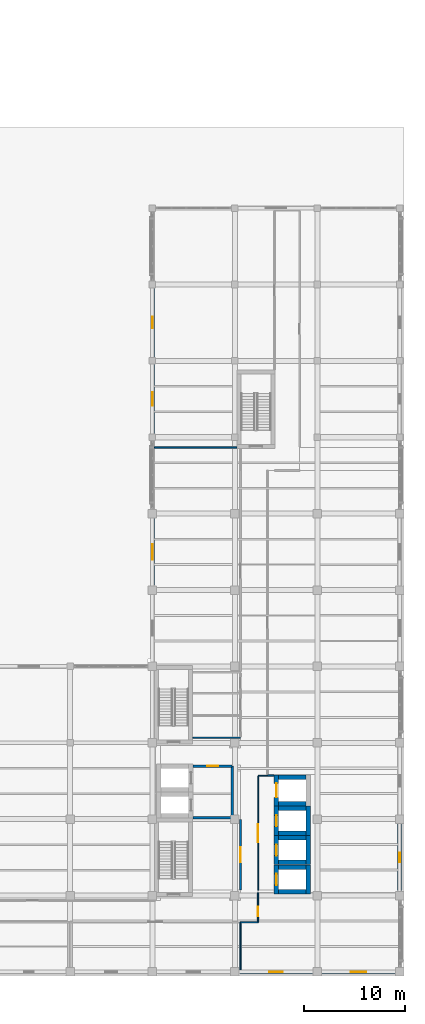
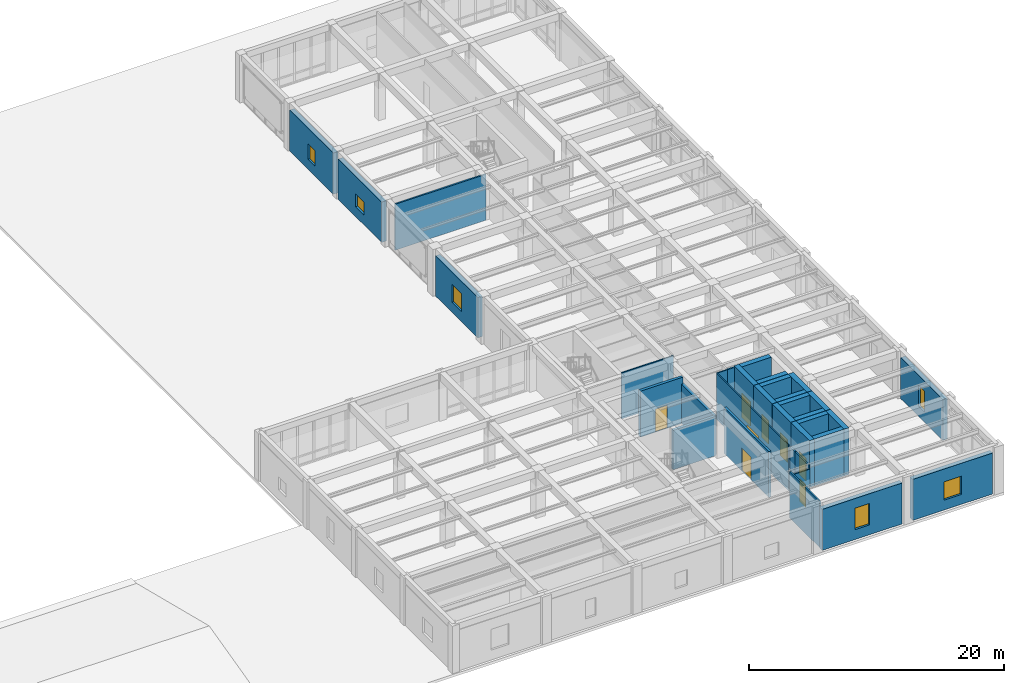
# One storey, part 16 of 23: 34 walls, 8 doors, 6 windows, 14 openings.
"""IFC4 building model written with IfcOpenShell, lengths in metres."""

from ifc_helpers import new_model, si_unit, direction, frame, frame_2d, origin, place, context, subcontext, project, spatial, rectangle, extrude, material, layer, layer_set, type_object, element, fill, save


model = new_model("IFC4")

# Units and contexts
model_context = context("Model", 3, precision=1e-05, world=origin(), true_north=direction((0.0, 1.0)))
body_context = subcontext(model_context, "Body", "Model", "MODEL_VIEW")
ifc_project = project(units=[si_unit("LENGTHUNIT", "METRE"), si_unit("AREAUNIT", "SQUARE_METRE"), si_unit("VOLUMEUNIT", "CUBIC_METRE"), si_unit("PLANEANGLEUNIT", "RADIAN"), si_unit("MASSUNIT", "GRAM", prefix="KILO")], contexts=[model_context])

# Site, building, storey
site_placement = place(None, origin())
site = spatial("IfcSite", under=ifc_project, at=site_placement, CompositionType="ELEMENT")
building_placement = place(site_placement, origin())
building = spatial("IfcBuilding", under=site, at=building_placement, Name="Qandaris Square Conservatory and Botanical Centre", CompositionType="ELEMENT")
storey_placement = place(building_placement, frame((0.0, 0.0, 15.0)))
storey = spatial("IfcBuildingStorey", under=building, at=storey_placement, Name="L03", CompositionType="ELEMENT", Elevation=15.0)

# Walls
ifc_material_1 = material(Name="Gypsum Plasterboard", Category="gypsum")
ifc_layer_1 = layer(ifc_material_1, 0.14990234375)
ifc_layer_set_1 = layer_set([ifc_layer_1], Name="Gypsum Plasterboard")
wall_type_1 = type_object("IfcWallType", Name="Acoustic Laboratory Partition 150mm", PredefinedType="PARTITIONING", material=ifc_layer_set_1)
wall_1_placement = place(storey_placement, frame((150.64990234375, 36.14990234375, 0.0), z_axis=(0.0, 0.0, 1.0), x_axis=(1.0, 0.0, 0.0)))
element("IfcWall", 1, at=wall_1_placement, inside=storey, type_object=wall_type_1, Name="Interior Partition IW-L03-0167", PredefinedType="PARTITIONING", context=body_context, shape_type="SweptSolid", body=[
    extrude(rectangle(XDim=0.6201171875, YDim=0.14990234375, at=frame_2d((0.31005859375, 0.0))), origin(), (0.0, 0.0, 1.0), 4.405029296875),
])
wall_2_placement = place(storey_placement, frame((139.3798828125, 68.800048828125, 0.0), z_axis=(0.0, 0.0, 1.0), x_axis=(1.0, 0.0, 0.0)))
element("IfcWall", 2, at=wall_2_placement, inside=storey, type_object=wall_type_1, Name="Interior Partition IW-L03-0187", PredefinedType="PARTITIONING", context=body_context, shape_type="SweptSolid", body=[
    extrude(rectangle(XDim=8.22021484375, YDim=0.14990234375, at=frame_2d((4.110107421875, 0.0))), origin(), (0.0, 0.0, 1.0), 4.405029296875),
])

# Wall, opening, door
ifc_material_2 = material(Name="Concrete C40/50", Category="concrete")
ifc_layer_2 = layer(ifc_material_2, 0.25)
ifc_layer_set_2 = layer_set([ifc_layer_2], Name="Concrete C40/50")
wall_type_2 = type_object("IfcWallType", Name="Firefighting Lobby Compartment Wall 250mm", PredefinedType="SOLIDWALL", material=ifc_layer_set_2)
wall_3_placement = place(storey_placement, frame((143.25, 37.074951171875, 0.0), z_axis=(0.0, 0.0, 1.0), x_axis=(1.0, 0.0, 0.0)))
wall_3 = element("IfcWall", 3, at=wall_3_placement, inside=storey, type_object=wall_type_2, Name="Firefighting Lobby Wall North (L03)", PredefinedType="SOLIDWALL", context=body_context, shape_type="SweptSolid", body=[
    extrude(rectangle(XDim=3.875, YDim=0.25, at=frame_2d((1.9375, 0.0))), origin(), (0.0, 0.0, 1.0), 4.405029296875),
])
opening_1_placement = place(wall_3_placement, frame((1.387451171875, 0.0, 0.0)))
opening_1 = element("IfcOpeningElement", 4, at=opening_1_placement, cuts=wall_3, Name="Opening D-FFL", PredefinedType="OPENING", context=body_context, shape_type="SweptSolid", body=[
    extrude(rectangle(XDim=1.10009765625, YDim=2.199951171875, at=frame_2d((0.550048828125, 1.10009765625))), frame((0.0, 0.136962890625, 0.0), z_axis=(0.0, -1.0, 0.0), x_axis=(1.0, 0.0, 0.0)), (0.0, 0.0, 1.0), 0.27392578125),
])
ifc_material_3 = material(Name="Steel S355", Category="steel")
door_type_1 = type_object("IfcDoorType", Name="Firefighting Lobby Smoke-Seal Door 1100x2200", OperationType="NOTDEFINED", PredefinedType="DOOR", material=ifc_material_3)
door_1_placement = place(opening_1_placement, origin())
door_1 = element("IfcDoor", 5, at=door_1_placement, inside=storey, type_object=door_type_1, Name="DR-0151 Firefighting Lobby Door (L03)", OperationType="SINGLE_SWING_RIGHT", OverallHeight=2.199951171875, OverallWidth=1.10009765625, PredefinedType="DOOR", context=body_context, shape_type="SweptSolid", body=[
    extrude(rectangle(XDim=1.10009765625, YDim=2.199951171875, at=frame_2d((0.550048828125, 1.10009765625))), frame((0.0, 0.02490234375, 0.0), z_axis=(0.0, -1.0, 0.0), x_axis=(1.0, 0.0, 0.0)), (0.0, 0.0, 1.0), 0.050048828125),
])
fill(opening_1, door_1)

# Walls
wall_4_placement = place(storey_placement, frame((143.25, 31.925048828125, 0.0), z_axis=(0.0, 0.0, 1.0), x_axis=(1.0, 0.0, 0.0)))
element("IfcWall", 6, at=wall_4_placement, inside=storey, type_object=wall_type_2, Name="Firefighting Lobby Wall South (L03)", PredefinedType="SOLIDWALL", context=body_context, shape_type="SweptSolid", body=[
    extrude(rectangle(XDim=3.875, YDim=0.25, at=frame_2d((1.9375, 0.0))), origin(), (0.0, 0.0, 1.0), 3.764892578125),
])
wall_5_placement = place(storey_placement, frame((147.125, 31.925048828125, 0.0), z_axis=(0.0, 0.0, 1.0), x_axis=(0.0, 1.0, 0.0)))
element("IfcWall", 7, at=wall_5_placement, inside=storey, type_object=wall_type_2, Name="Firefighting Lobby Wall East (L03)", PredefinedType="SOLIDWALL", context=body_context, shape_type="SweptSolid", body=[
    extrude(rectangle(XDim=5.14990234375, YDim=0.25, at=frame_2d((2.574951171875, 0.0))), origin(), (0.0, 0.0, 1.0), 3.764892578125),
])

# Wall, opening, door
ifc_material_4 = material(Name="Tempered Low-E Glass", Category="glass")
ifc_layer_3 = layer(ifc_material_4, 0.10009765625)
ifc_layer_set_3 = layer_set([ifc_layer_3], Name="Tempered Low-E Glass")
wall_type_3 = type_object("IfcWallType", Name="Framed Acoustic Glazed Gallery Screen 100mm", PredefinedType="PARTITIONING", material=ifc_layer_set_3)
wall_6_placement = place(storey_placement, frame((149.699951171875, 24.75, 0.0), z_axis=(0.0, 0.0, 1.0), x_axis=(0.0, 1.0, 0.0)))
wall_6 = element("IfcWall", 8, at=wall_6_placement, inside=storey, type_object=wall_type_3, Name="Interior Partition IW-L03-0165", PredefinedType="PARTITIONING", context=body_context, shape_type="SweptSolid", body=[
    extrude(rectangle(XDim=11.300048828125, YDim=0.10009765625, at=frame_2d((5.64990234375, 0.0))), origin(), (0.0, 0.0, 1.0), 4.405029296875),
])
opening_2_placement = place(wall_6_placement, frame((4.75, 0.0, 0.0)))
opening_2 = element("IfcOpeningElement", 9, at=opening_2_placement, cuts=wall_6, Name="Opening D-GL1", PredefinedType="OPENING", context=body_context, shape_type="SweptSolid", body=[
    extrude(rectangle(XDim=1.800048828125, YDim=2.39990234375, at=frame_2d((0.89990234375, 1.199951171875))), frame((0.0, 0.06201171875, 0.0), z_axis=(0.0, -1.0, 0.0), x_axis=(1.0, 0.0, 0.0)), (0.0, 0.0, 1.0), 0.1240234375),
])
ifc_material_5 = material(Name="Anodised Aluminium", Category="aluminium")
door_type_2 = type_object("IfcDoorType", Name="Visitor Gallery Glazed Double Door 1800x2400", OperationType="DOUBLE_DOOR_SINGLE_SWING", PredefinedType="DOOR", material=ifc_material_5)
door_2_placement = place(opening_2_placement, frame((1.800048828125, 0.0, 0.0), z_axis=(0.0, 0.0, 1.0), x_axis=(-1.0, 0.0, 0.0)))
door_2 = element("IfcDoor", 10, at=door_2_placement, inside=storey, type_object=door_type_2, Name="DR-0152 Main Circulation Corridor L03 Door", OperationType="DOUBLE_DOOR_SINGLE_SWING", OverallHeight=2.39990234375, OverallWidth=1.800048828125, PredefinedType="DOOR", context=body_context, shape_type="SweptSolid", body=[
    extrude(rectangle(XDim=1.800048828125, YDim=2.39990234375, at=frame_2d((0.89990234375, 1.199951171875))), frame((0.0, 0.02490234375, 0.0), z_axis=(0.0, -1.0, 0.0), x_axis=(1.0, 0.0, 0.0)), (0.0, 0.0, 1.0), 0.050048828125),
])
fill(opening_2, door_2)

# Wall
wall_7_placement = place(storey_placement, frame((149.699951171875, 36.125, 0.0), z_axis=(0.0, 0.0, 1.0), x_axis=(1.0, 0.0, 0.0)))
element("IfcWall", 11, at=wall_7_placement, inside=storey, type_object=wall_type_3, Name="Interior Partition IW-L03-0166", PredefinedType="PARTITIONING", context=body_context, shape_type="SweptSolid", body=[
    extrude(rectangle(XDim=0.949951171875, YDim=0.10009765625, at=frame_2d((0.47509765625, 0.0))), origin(), (0.0, 0.0, 1.0), 4.405029296875),
])

# Wall, opening, door
ifc_layer_4 = layer(ifc_material_2, 0.199951171875)
ifc_layer_set_4 = layer_set([ifc_layer_4], Name="Concrete C40/50")
wall_type_4 = type_object("IfcWallType", Name="Herbarium & Plant Compartment Wall 200mm", PredefinedType="PARTITIONING", material=ifc_layer_set_4)
wall_8_placement = place(storey_placement, frame((147.949951171875, 31.75, 0.0), z_axis=(0.0, 0.0, 1.0), x_axis=(0.0, -1.0, 0.0)))
wall_8 = element("IfcWall", 12, at=wall_8_placement, inside=storey, type_object=wall_type_4, Name="Interior Partition IW-L03-0164", PredefinedType="PARTITIONING", context=body_context, shape_type="SweptSolid", body=[
    extrude(rectangle(XDim=7.0, YDim=0.199951171875, at=frame_2d((3.5, 0.0))), origin(), (0.0, 0.0, 1.0), 4.405029296875),
])
opening_3_placement = place(wall_8_placement, frame((2.75, 0.0, 0.0)))
opening_3 = element("IfcOpeningElement", 13, at=opening_3_placement, cuts=wall_8, Name="Opening D-PLT1", PredefinedType="OPENING", context=body_context, shape_type="SweptSolid", body=[
    extrude(rectangle(XDim=1.5, YDim=2.199951171875, at=frame_2d((0.75, 1.10009765625))), frame((0.0, 0.11181640625, 0.0), z_axis=(0.0, -1.0, 0.0), x_axis=(1.0, 0.0, 0.0)), (0.0, 0.0, 1.0), 0.223876953125),
])
door_type_3 = type_object("IfcDoorType", Name="Plant & Riser Double Fire Door 1500x2200", OperationType="DOUBLE_DOOR_SINGLE_SWING", PredefinedType="DOOR", material=ifc_material_3)
door_3_placement = place(opening_3_placement, origin())
door_3 = element("IfcDoor", 14, at=door_3_placement, inside=storey, type_object=door_type_3, Name="DR-0161 Electrical and Telecom Riser Room L03 Door", OperationType="DOUBLE_DOOR_SINGLE_SWING", OverallHeight=2.199951171875, OverallWidth=1.5, PredefinedType="DOOR", context=body_context, shape_type="SweptSolid", body=[
    extrude(rectangle(XDim=1.5, YDim=2.199951171875, at=frame_2d((0.75, 1.10009765625))), frame((0.0, 0.02490234375, 0.0), z_axis=(0.0, -1.0, 0.0), x_axis=(1.0, 0.0, 0.0)), (0.0, 0.0, 1.0), 0.050048828125),
])
fill(opening_3, door_3)

# Wall, opening, window
ifc_layer_5 = layer(ifc_material_2, 0.419921875)
ifc_layer_set_5 = layer_set([ifc_layer_5], Name="Concrete C40/50")
wall_type_5 = type_object("IfcWallType", Name="Insulated Qatari Limestone Cavity Wall 420mm", PredefinedType="SOLIDWALL", material=ifc_layer_set_5)
wall_9_placement = place(storey_placement, frame((147.885009765625, 16.60009765625, 0.0), z_axis=(0.0, 0.0, 1.0), x_axis=(1.0, 0.0, 0.0)))
wall_9 = element("IfcWall", 15, at=wall_9_placement, inside=storey, type_object=wall_type_5, Name="Exterior Wall EW-TWR-L03-1-5", PredefinedType="SOLIDWALL", context=body_context, shape_type="SweptSolid", body=[
    extrude(rectangle(XDim=7.22998046875, YDim=0.419921875, at=frame_2d((3.614990234375, 0.0))), origin(), (0.0, 0.0, 1.0), 3.929931640625),
])
opening_4_placement = place(wall_9_placement, frame((2.93994140625, 0.0, 0.949951171875)))
opening_4 = element("IfcOpeningElement", 16, at=opening_4_placement, cuts=wall_9, Name="Opening WN-24", PredefinedType="OPENING", context=body_context, shape_type="SweptSolid", body=[
    extrude(rectangle(XDim=1.35009765625, YDim=2.050048828125, at=frame_2d((0.675048828125, 1.02490234375))), frame((0.0, 0.221923828125, 0.0), z_axis=(0.0, -1.0, 0.0), x_axis=(1.0, 0.0, 0.0)), (0.0, 0.0, 1.0), 0.44384765625),
])
window_type_1 = type_object("IfcWindowType", Name="Solar Control Window 1350x2050", PartitioningType="SINGLE_PANEL", PredefinedType="WINDOW", material=ifc_material_4)
window_1_placement = place(opening_4_placement, origin())
window_1 = element("IfcWindow", 17, at=window_1_placement, inside=storey, type_object=window_type_1, Name="Window EW-TWR-L03-1-5", OverallHeight=2.050048828125, OverallWidth=1.35009765625, PartitioningType="SINGLE_PANEL", PredefinedType="WINDOW", context=body_context, shape_type="SweptSolid", body=[
    extrude(rectangle(XDim=1.35009765625, YDim=2.050048828125, at=frame_2d((0.675048828125, 1.02490234375))), frame((0.0, 0.030029296875, 0.0), z_axis=(0.0, -1.0, 0.0), x_axis=(1.0, 0.0, 0.0)), (0.0, 0.0, 1.0), 0.06005859375),
])
fill(opening_4, window_1)

wall_10_placement = place(storey_placement, frame((156.0849609375, 16.60009765625, 0.0), z_axis=(0.0, 0.0, 1.0), x_axis=(1.0, 0.0, 0.0)))
wall_10 = element("IfcWall", 18, at=wall_10_placement, inside=storey, type_object=wall_type_5, Name="Exterior Wall EW-TWR-L03-1-6", PredefinedType="SOLIDWALL", context=body_context, shape_type="SweptSolid", body=[
    extrude(rectangle(XDim=7.22998046875, YDim=0.419921875, at=frame_2d((3.614990234375, 0.0))), origin(), (0.0, 0.0, 1.0), 3.929931640625),
])
opening_5_placement = place(wall_10_placement, frame((2.840087890625, 0.0, 0.949951171875)))
opening_5 = element("IfcOpeningElement", 19, at=opening_5_placement, cuts=wall_10, Name="Opening WN-27", PredefinedType="OPENING", context=body_context, shape_type="SweptSolid", body=[
    extrude(rectangle(XDim=1.550048828125, YDim=1.75, at=frame_2d((0.77490234375, 0.875))), frame((0.0, 0.221923828125, 0.0), z_axis=(0.0, -1.0, 0.0), x_axis=(1.0, 0.0, 0.0)), (0.0, 0.0, 1.0), 0.44384765625),
])
window_type_2 = type_object("IfcWindowType", Name="Solar Control Window 1550x1750", PartitioningType="DOUBLE_PANEL_VERTICAL", PredefinedType="WINDOW", material=ifc_material_4)
window_2_placement = place(opening_5_placement, origin())
window_2 = element("IfcWindow", 20, at=window_2_placement, inside=storey, type_object=window_type_2, Name="Window EW-TWR-L03-1-6", OverallHeight=1.75, OverallWidth=1.550048828125, PartitioningType="DOUBLE_PANEL_VERTICAL", PredefinedType="WINDOW", context=body_context, shape_type="SweptSolid", body=[
    extrude(rectangle(XDim=1.550048828125, YDim=1.75, at=frame_2d((0.77490234375, 0.875))), frame((0.0, 0.030029296875, 0.0), z_axis=(0.0, -1.0, 0.0), x_axis=(1.0, 0.0, 0.0)), (0.0, 0.0, 1.0), 0.06005859375),
])
fill(opening_5, window_2)

wall_11_placement = place(storey_placement, frame((163.800048828125, 24.68505859375, 0.0), z_axis=(0.0, 0.0, 1.0), x_axis=(0.0, 1.0, 0.0)))
wall_11 = element("IfcWall", 21, at=wall_11_placement, inside=storey, type_object=wall_type_5, Name="Exterior Wall EW-TWR-L03-2-2", PredefinedType="SOLIDWALL", context=body_context, shape_type="SweptSolid", body=[
    extrude(rectangle(XDim=6.6298828125, YDim=0.419921875, at=frame_2d((3.31494140625, 0.0))), origin(), (0.0, 0.0, 1.0), 3.929931640625),
])
opening_6_placement = place(wall_11_placement, frame((2.840087890625, 0.0, 0.949951171875)))
opening_6 = element("IfcOpeningElement", 22, at=opening_6_placement, cuts=wall_11, Name="Opening WN-16", PredefinedType="OPENING", context=body_context, shape_type="SweptSolid", body=[
    extrude(rectangle(XDim=0.949951171875, YDim=2.050048828125, at=frame_2d((0.47509765625, 1.02490234375))), frame((0.0, 0.221923828125, 0.0), z_axis=(0.0, -1.0, 0.0), x_axis=(1.0, 0.0, 0.0)), (0.0, 0.0, 1.0), 0.44384765625),
])
window_type_3 = type_object("IfcWindowType", Name="Solar Control Window 950x2050", PartitioningType="SINGLE_PANEL", PredefinedType="WINDOW", material=ifc_material_4)
window_3_placement = place(opening_6_placement, origin())
window_3 = element("IfcWindow", 23, at=window_3_placement, inside=storey, type_object=window_type_3, Name="Window EW-TWR-L03-2-2", OverallHeight=2.050048828125, OverallWidth=0.949951171875, PartitioningType="SINGLE_PANEL", PredefinedType="WINDOW", context=body_context, shape_type="SweptSolid", body=[
    extrude(rectangle(XDim=0.949951171875, YDim=2.050048828125, at=frame_2d((0.47509765625, 1.02490234375))), frame((0.0, 0.030029296875, 0.0), z_axis=(0.0, -1.0, 0.0), x_axis=(1.0, 0.0, 0.0)), (0.0, 0.0, 1.0), 0.06005859375),
])
fill(opening_6, window_3)

wall_12_placement = place(storey_placement, frame((139.199951171875, 84.614990234375, 0.0), z_axis=(0.0, 0.0, 1.0), x_axis=(0.0, -1.0, 0.0)))
wall_12 = element("IfcWall", 24, at=wall_12_placement, inside=storey, type_object=wall_type_5, Name="Exterior Wall EW-TWR-L03-4-2", PredefinedType="SOLIDWALL", context=body_context, shape_type="SweptSolid", body=[
    extrude(rectangle(XDim=6.830078125, YDim=0.419921875, at=frame_2d((3.4150390625, 0.0))), origin(), (0.0, 0.0, 1.0), 3.955078125),
])
opening_7_placement = place(wall_12_placement, frame((2.840087890625, 0.0, 0.949951171875)))
opening_7 = element("IfcOpeningElement", 25, at=opening_7_placement, cuts=wall_12, Name="Opening WN-18", PredefinedType="OPENING", context=body_context, shape_type="SweptSolid", body=[
    extrude(rectangle(XDim=1.14990234375, YDim=1.5, at=frame_2d((0.574951171875, 0.75))), frame((0.0, 0.221923828125, 0.0), z_axis=(0.0, -1.0, 0.0), x_axis=(1.0, 0.0, 0.0)), (0.0, 0.0, 1.0), 0.44384765625),
])
window_type_4 = type_object("IfcWindowType", Name="Solar Control Window 1150x1500", PartitioningType="SINGLE_PANEL", PredefinedType="WINDOW", material=ifc_material_4)
window_4_placement = place(opening_7_placement, origin())
window_4 = element("IfcWindow", 26, at=window_4_placement, inside=storey, type_object=window_type_4, Name="Window EW-TWR-L03-4-2", OverallHeight=1.5, OverallWidth=1.14990234375, PartitioningType="SINGLE_PANEL", PredefinedType="WINDOW", context=body_context, shape_type="SweptSolid", body=[
    extrude(rectangle(XDim=1.14990234375, YDim=1.5, at=frame_2d((0.574951171875, 0.75))), frame((0.0, 0.030029296875, 0.0), z_axis=(0.0, -1.0, 0.0), x_axis=(1.0, 0.0, 0.0)), (0.0, 0.0, 1.0), 0.06005859375),
])
fill(opening_7, window_4)

wall_13_placement = place(storey_placement, frame((139.199951171875, 77.014892578125, 0.0), z_axis=(0.0, 0.0, 1.0), x_axis=(0.0, -1.0, 0.0)))
wall_13 = element("IfcWall", 27, at=wall_13_placement, inside=storey, type_object=wall_type_5, Name="Exterior Wall EW-TWR-L03-4-3", PredefinedType="SOLIDWALL", context=body_context, shape_type="SweptSolid", body=[
    extrude(rectangle(XDim=6.829833984375, YDim=0.419921875, at=frame_2d((3.4150390625, 0.0))), origin(), (0.0, 0.0, 1.0), 3.864990234375),
])
opening_8_placement = place(wall_13_placement, frame((2.739990234375, 0.0, 0.949951171875)))
opening_8 = element("IfcOpeningElement", 28, at=opening_8_placement, cuts=wall_13, Name="Opening WN-21", PredefinedType="OPENING", context=body_context, shape_type="SweptSolid", body=[
    extrude(rectangle(XDim=1.35009765625, YDim=1.25, at=frame_2d((0.675048828125, 0.625))), frame((0.0, 0.221923828125, 0.0), z_axis=(0.0, -1.0, 0.0), x_axis=(1.0, 0.0, 0.0)), (0.0, 0.0, 1.0), 0.44384765625),
])
window_type_5 = type_object("IfcWindowType", Name="Solar Control Window 1350x1250", PartitioningType="SINGLE_PANEL", PredefinedType="WINDOW", material=ifc_material_4)
window_5_placement = place(opening_8_placement, origin())
window_5 = element("IfcWindow", 29, at=window_5_placement, inside=storey, type_object=window_type_5, Name="Window EW-TWR-L03-4-3", OverallHeight=1.25, OverallWidth=1.35009765625, PartitioningType="SINGLE_PANEL", PredefinedType="WINDOW", context=body_context, shape_type="SweptSolid", body=[
    extrude(rectangle(XDim=1.35009765625, YDim=1.25, at=frame_2d((0.675048828125, 0.625))), frame((0.0, 0.030029296875, 0.0), z_axis=(0.0, -1.0, 0.0), x_axis=(1.0, 0.0, 0.0)), (0.0, 0.0, 1.0), 0.06005859375),
])
fill(opening_8, window_5)

wall_14_placement = place(storey_placement, frame((139.199951171875, 61.715087890625, 0.0), z_axis=(0.0, 0.0, 1.0), x_axis=(0.0, -1.0, 0.0)))
wall_14 = element("IfcWall", 30, at=wall_14_placement, inside=storey, type_object=wall_type_5, Name="Exterior Wall EW-TWR-L03-4-5", PredefinedType="SOLIDWALL", context=body_context, shape_type="SweptSolid", body=[
    extrude(rectangle(XDim=6.630126953125, YDim=0.419921875, at=frame_2d((3.31494140625, 0.0))), origin(), (0.0, 0.0, 1.0), 3.864990234375),
])
opening_9_placement = place(wall_14_placement, frame((2.5400390625, 0.0, 0.949951171875)))
opening_9 = element("IfcOpeningElement", 31, at=opening_9_placement, cuts=wall_14, Name="Opening WN-27", PredefinedType="OPENING", context=body_context, shape_type="SweptSolid", body=[
    extrude(rectangle(XDim=1.550048828125, YDim=1.75, at=frame_2d((0.77490234375, 0.875))), frame((0.0, 0.221923828125, 0.0), z_axis=(0.0, -1.0, 0.0), x_axis=(1.0, 0.0, 0.0)), (0.0, 0.0, 1.0), 0.44384765625),
])
window_6_placement = place(opening_9_placement, origin())
window_6 = element("IfcWindow", 32, at=window_6_placement, inside=storey, type_object=window_type_2, Name="Window EW-TWR-L03-4-5", OverallHeight=1.75, OverallWidth=1.550048828125, PartitioningType="DOUBLE_PANEL_VERTICAL", PredefinedType="WINDOW", context=body_context, shape_type="SweptSolid", body=[
    extrude(rectangle(XDim=1.550048828125, YDim=1.75, at=frame_2d((0.77490234375, 0.875))), frame((0.0, 0.030029296875, 0.0), z_axis=(0.0, -1.0, 0.0), x_axis=(1.0, 0.0, 0.0)), (0.0, 0.0, 1.0), 0.06005859375),
])
fill(opening_9, window_6)

# Walls
ifc_material_6 = material(Name="Concrete C50/60", Category="concrete")
ifc_layer_6 = layer(ifc_material_6, 0.449951171875)
ifc_layer_set_6 = layer_set([ifc_layer_6], Name="Concrete C50/60")
wall_type_6 = type_object("IfcWallType", Name="RC Coupled Core Shear Wall 450mm", PredefinedType="SHEAR", material=ifc_layer_set_6)
for number, where, z_axis, x_axis, name in (
    (33, (151.75, 24.574951171875, 0.0), (0.0, 0.0, 1.0), (1.0, 0.0, 0.0), "Lift PL1 Shaft Wall South (L03)"),
    (34, (151.75, 27.02490234375, 0.0), (0.0, 0.0, 1.0), (1.0, 0.0, 0.0), "Lift PL1 Shaft Wall North (L03)"),
):
    element("IfcWall", number, at=place(storey_placement, frame(where, z_axis=z_axis, x_axis=x_axis)), inside=storey, type_object=wall_type_6, Name=name, PredefinedType="SHEAR", context=body_context, shape_type="SweptSolid", body=[
        extrude(rectangle(XDim=2.699951171875, YDim=0.449951171875, at=frame_2d((1.35009765625, 0.0))), origin(), (0.0, 0.0, 1.0), 4.47998046875),
    ])

# Wall, opening, door
wall_15_placement = place(storey_placement, frame((151.52490234375, 24.35009765625, 0.0), z_axis=(0.0, 0.0, 1.0), x_axis=(0.0, 1.0, 0.0)))
wall_15 = element("IfcWall", 35, at=wall_15_placement, inside=storey, type_object=wall_type_6, Name="Lift PL1 Shaft Wall West (L03)", PredefinedType="SHEAR", context=body_context, shape_type="SweptSolid", body=[
    extrude(rectangle(XDim=2.89990234375, YDim=0.449951171875, at=frame_2d((1.449951171875, 0.0))), origin(), (0.0, 0.0, 1.0), 4.47998046875),
])
opening_10_placement = place(wall_15_placement, frame((0.89990234375, 0.0, 0.0)))
opening_10 = element("IfcOpeningElement", 36, at=opening_10_placement, cuts=wall_15, Name="Opening LD-PAX", PredefinedType="OPENING", context=body_context, shape_type="SweptSolid", body=[
    extrude(rectangle(XDim=1.10009765625, YDim=2.199951171875, at=frame_2d((0.550048828125, 1.10009765625))), frame((0.0, 0.23681640625, 0.0), z_axis=(0.0, -1.0, 0.0), x_axis=(1.0, 0.0, 0.0)), (0.0, 0.0, 1.0), 0.473876953125),
])
door_type_4 = type_object("IfcDoorType", Name="Passenger Lift Sliding Landing Door 1100x2200", OperationType="DOUBLE_DOOR_SLIDING", PredefinedType="DOOR", material=ifc_material_5)
door_4_placement = place(opening_10_placement, origin())
door_4 = element("IfcDoor", 37, at=door_4_placement, inside=storey, type_object=door_type_4, Name="DR-0171 Lift PL1 Landing Door (L03)", OperationType="DOUBLE_DOOR_SLIDING", OverallHeight=2.199951171875, OverallWidth=1.10009765625, PredefinedType="DOOR", context=body_context, shape_type="SweptSolid", body=[
    extrude(rectangle(XDim=1.10009765625, YDim=2.199951171875, at=frame_2d((0.550048828125, 1.10009765625))), frame((0.0, 0.02490234375, 0.0), z_axis=(0.0, -1.0, 0.0), x_axis=(1.0, 0.0, 0.0)), (0.0, 0.0, 1.0), 0.050048828125),
])
fill(opening_10, door_4)

# Walls
wall_16_placement = place(storey_placement, frame((154.675048828125, 24.35009765625, 0.0), z_axis=(0.0, 0.0, 1.0), x_axis=(0.0, 1.0, 0.0)))
element("IfcWall", 38, at=wall_16_placement, inside=storey, type_object=wall_type_6, Name="Lift PL1 Shaft Wall East (L03)", PredefinedType="SHEAR", context=body_context, shape_type="SweptSolid", body=[
    extrude(rectangle(XDim=2.89990234375, YDim=0.449951171875, at=frame_2d((1.449951171875, 0.0))), origin(), (0.0, 0.0, 1.0), 4.47998046875),
])
for number, where, z_axis, x_axis, name in (
    (39, (151.75, 27.4951171875, 0.0), (0.0, 0.0, 1.0), (1.0, 0.0, 0.0), "Lift PL2 Shaft Wall South (L03)"),
    (40, (151.75, 29.945068359375, 0.0), (0.0, 0.0, 1.0), (1.0, 0.0, 0.0), "Lift PL2 Shaft Wall North (L03)"),
):
    element("IfcWall", number, at=place(storey_placement, frame(where, z_axis=z_axis, x_axis=x_axis)), inside=storey, type_object=wall_type_6, Name=name, PredefinedType="SHEAR", context=body_context, shape_type="SweptSolid", body=[
        extrude(rectangle(XDim=2.699951171875, YDim=0.449951171875, at=frame_2d((1.35009765625, 0.0))), origin(), (0.0, 0.0, 1.0), 4.47998046875),
    ])

# Wall, opening, door
wall_17_placement = place(storey_placement, frame((151.52490234375, 27.27001953125, 0.0), z_axis=(0.0, 0.0, 1.0), x_axis=(0.0, 1.0, 0.0)))
wall_17 = element("IfcWall", 41, at=wall_17_placement, inside=storey, type_object=wall_type_6, Name="Lift PL2 Shaft Wall West (L03)", PredefinedType="SHEAR", context=body_context, shape_type="SweptSolid", body=[
    extrude(rectangle(XDim=2.89990234375, YDim=0.449951171875, at=frame_2d((1.449951171875, 0.0))), origin(), (0.0, 0.0, 1.0), 4.47998046875),
])
opening_11_placement = place(wall_17_placement, frame((0.89990234375, 0.0, 0.0)))
opening_11 = element("IfcOpeningElement", 42, at=opening_11_placement, cuts=wall_17, Name="Opening LD-PAX", PredefinedType="OPENING", context=body_context, shape_type="SweptSolid", body=[
    extrude(rectangle(XDim=1.10009765625, YDim=2.199951171875, at=frame_2d((0.550048828125, 1.10009765625))), frame((0.0, 0.23681640625, 0.0), z_axis=(0.0, -1.0, 0.0), x_axis=(1.0, 0.0, 0.0)), (0.0, 0.0, 1.0), 0.473876953125),
])
door_5_placement = place(opening_11_placement, origin())
door_5 = element("IfcDoor", 43, at=door_5_placement, inside=storey, type_object=door_type_4, Name="DR-0172 Lift PL2 Landing Door (L03)", OperationType="DOUBLE_DOOR_SLIDING", OverallHeight=2.199951171875, OverallWidth=1.10009765625, PredefinedType="DOOR", context=body_context, shape_type="SweptSolid", body=[
    extrude(rectangle(XDim=1.10009765625, YDim=2.199951171875, at=frame_2d((0.550048828125, 1.10009765625))), frame((0.0, 0.02490234375, 0.0), z_axis=(0.0, -1.0, 0.0), x_axis=(1.0, 0.0, 0.0)), (0.0, 0.0, 1.0), 0.050048828125),
])
fill(opening_11, door_5)

# Walls
wall_18_placement = place(storey_placement, frame((154.675048828125, 27.27001953125, 0.0), z_axis=(0.0, 0.0, 1.0), x_axis=(0.0, 1.0, 0.0)))
element("IfcWall", 44, at=wall_18_placement, inside=storey, type_object=wall_type_6, Name="Lift PL2 Shaft Wall East (L03)", PredefinedType="SHEAR", context=body_context, shape_type="SweptSolid", body=[
    extrude(rectangle(XDim=2.89990234375, YDim=0.449951171875, at=frame_2d((1.449951171875, 0.0))), origin(), (0.0, 0.0, 1.0), 4.47998046875),
])
for number, where, z_axis, x_axis, name in (
    (45, (151.75, 30.4150390625, 0.0), (0.0, 0.0, 1.0), (1.0, 0.0, 0.0), "Lift PL3 Shaft Wall South (L03)"),
    (46, (151.75, 32.864990234375, 0.0), (0.0, 0.0, 1.0), (1.0, 0.0, 0.0), "Lift PL3 Shaft Wall North (L03)"),
):
    element("IfcWall", number, at=place(storey_placement, frame(where, z_axis=z_axis, x_axis=x_axis)), inside=storey, type_object=wall_type_6, Name=name, PredefinedType="SHEAR", context=body_context, shape_type="SweptSolid", body=[
        extrude(rectangle(XDim=2.699951171875, YDim=0.449951171875, at=frame_2d((1.35009765625, 0.0))), origin(), (0.0, 0.0, 1.0), 4.47998046875),
    ])

# Wall, opening, door
wall_19_placement = place(storey_placement, frame((151.52490234375, 30.18994140625, 0.0), z_axis=(0.0, 0.0, 1.0), x_axis=(0.0, 1.0, 0.0)))
wall_19 = element("IfcWall", 47, at=wall_19_placement, inside=storey, type_object=wall_type_6, Name="Lift PL3 Shaft Wall West (L03)", PredefinedType="SHEAR", context=body_context, shape_type="SweptSolid", body=[
    extrude(rectangle(XDim=2.900146484375, YDim=0.449951171875, at=frame_2d((1.4501953125, 0.0))), origin(), (0.0, 0.0, 1.0), 4.47998046875),
])
opening_12_placement = place(wall_19_placement, frame((0.89990234375, 0.0, 0.0)))
opening_12 = element("IfcOpeningElement", 48, at=opening_12_placement, cuts=wall_19, Name="Opening LD-PAX", PredefinedType="OPENING", context=body_context, shape_type="SweptSolid", body=[
    extrude(rectangle(XDim=1.10009765625, YDim=2.199951171875, at=frame_2d((0.550048828125, 1.10009765625))), frame((0.0, 0.23681640625, 0.0), z_axis=(0.0, -1.0, 0.0), x_axis=(1.0, 0.0, 0.0)), (0.0, 0.0, 1.0), 0.473876953125),
])
door_6_placement = place(opening_12_placement, origin())
door_6 = element("IfcDoor", 49, at=door_6_placement, inside=storey, type_object=door_type_4, Name="DR-0173 Lift PL3 Landing Door (L03)", OperationType="DOUBLE_DOOR_SLIDING", OverallHeight=2.199951171875, OverallWidth=1.10009765625, PredefinedType="DOOR", context=body_context, shape_type="SweptSolid", body=[
    extrude(rectangle(XDim=1.10009765625, YDim=2.199951171875, at=frame_2d((0.550048828125, 1.10009765625))), frame((0.0, 0.02490234375, 0.0), z_axis=(0.0, -1.0, 0.0), x_axis=(1.0, 0.0, 0.0)), (0.0, 0.0, 1.0), 0.050048828125),
])
fill(opening_12, door_6)

# Walls
wall_20_placement = place(storey_placement, frame((154.675048828125, 30.18994140625, 0.0), z_axis=(0.0, 0.0, 1.0), x_axis=(0.0, 1.0, 0.0)))
element("IfcWall", 50, at=wall_20_placement, inside=storey, type_object=wall_type_6, Name="Lift PL3 Shaft Wall East (L03)", PredefinedType="SHEAR", context=body_context, shape_type="SweptSolid", body=[
    extrude(rectangle(XDim=2.900146484375, YDim=0.449951171875, at=frame_2d((1.4501953125, 0.0))), origin(), (0.0, 0.0, 1.0), 4.47998046875),
])
for number, where, z_axis, x_axis, name in (
    (51, (151.75, 33.3349609375, 0.0), (0.0, 0.0, 1.0), (1.0, 0.0, 0.0), "Lift GL1 Shaft Wall South (L03)"),
    (52, (151.75, 35.985107421875, 0.0), (0.0, 0.0, 1.0), (1.0, 0.0, 0.0), "Lift GL1 Shaft Wall North (L03)"),
):
    element("IfcWall", number, at=place(storey_placement, frame(where, z_axis=z_axis, x_axis=x_axis)), inside=storey, type_object=wall_type_6, Name=name, PredefinedType="SHEAR", context=body_context, shape_type="SweptSolid", body=[
        extrude(rectangle(XDim=2.699951171875, YDim=0.449951171875, at=frame_2d((1.35009765625, 0.0))), origin(), (0.0, 0.0, 1.0), 4.47998046875),
    ])

# Wall, opening, door
wall_21_placement = place(storey_placement, frame((151.52490234375, 33.110107421875, 0.0), z_axis=(0.0, 0.0, 1.0), x_axis=(0.0, 1.0, 0.0)))
wall_21 = element("IfcWall", 53, at=wall_21_placement, inside=storey, type_object=wall_type_6, Name="Lift GL1 Shaft Wall West (L03)", PredefinedType="SHEAR", context=body_context, shape_type="SweptSolid", body=[
    extrude(rectangle(XDim=3.099853515625, YDim=0.449951171875, at=frame_2d((1.5498046875, 0.0))), origin(), (0.0, 0.0, 1.0), 4.47998046875),
])
opening_13_placement = place(wall_21_placement, frame((0.85009765625, 0.0, 0.0)))
opening_13 = element("IfcOpeningElement", 54, at=opening_13_placement, cuts=wall_21, Name="Opening LD-GDS", PredefinedType="OPENING", context=body_context, shape_type="SweptSolid", body=[
    extrude(rectangle(XDim=1.39990234375, YDim=2.300048828125, at=frame_2d((0.699951171875, 1.14990234375))), frame((0.0, 0.23681640625, 0.0), z_axis=(0.0, -1.0, 0.0), x_axis=(1.0, 0.0, 0.0)), (0.0, 0.0, 1.0), 0.473876953125),
])
door_type_5 = type_object("IfcDoorType", Name="Goods & Herbarium Lift Sliding Landing Door 1400x2300", OperationType="DOUBLE_DOOR_SLIDING", PredefinedType="DOOR", material=ifc_material_3)
door_7_placement = place(opening_13_placement, origin())
door_7 = element("IfcDoor", 55, at=door_7_placement, inside=storey, type_object=door_type_5, Name="DR-0170 Lift GL1 Landing Door (L03)", OperationType="DOUBLE_DOOR_SLIDING", OverallHeight=2.300048828125, OverallWidth=1.39990234375, PredefinedType="DOOR", context=body_context, shape_type="SweptSolid", body=[
    extrude(rectangle(XDim=1.39990234375, YDim=2.300048828125, at=frame_2d((0.699951171875, 1.14990234375))), frame((0.0, 0.02490234375, 0.0), z_axis=(0.0, -1.0, 0.0), x_axis=(1.0, 0.0, 0.0)), (0.0, 0.0, 1.0), 0.050048828125),
])
fill(opening_13, door_7)

# Walls
ifc_layer_7 = layer(ifc_material_1, 0.1201171875)
ifc_layer_set_7 = layer_set([ifc_layer_7], Name="Gypsum Plasterboard")
wall_type_7 = type_object("IfcWallType", Name="Standard Research Partition 120mm", PredefinedType="PARTITIONING", material=ifc_layer_set_7)
wall_22_placement = place(storey_placement, frame((143.22998046875, 39.89990234375, 0.0), z_axis=(0.0, 0.0, 1.0), x_axis=(1.0, 0.0, 0.0)))
element("IfcWall", 56, at=wall_22_placement, inside=storey, type_object=wall_type_7, Name="Sanitary Toilet Partition Wall WCW-L03-SOUTH1", PredefinedType="PARTITIONING", context=body_context, shape_type="SweptSolid", body=[
    extrude(rectangle(XDim=4.719970703125, YDim=0.1201171875, at=frame_2d((2.35986328125, 0.0))), origin(), (0.0, 0.0, 1.0), 4.405029296875),
])
wall_23_placement = place(storey_placement, frame((149.699951171875, 24.5, 0.0), z_axis=(0.0, 0.0, 1.0), x_axis=(0.0, -1.0, 0.0)))
element("IfcWall", 57, at=wall_23_placement, inside=storey, type_object=wall_type_7, Name="Interior Partition IW-L03-0176", PredefinedType="PARTITIONING", context=body_context, shape_type="SweptSolid", body=[
    extrude(rectangle(XDim=0.800048828125, YDim=0.1201171875, at=frame_2d((0.39990234375, 0.0))), origin(), (0.0, 0.0, 1.0), 4.405029296875),
])

# Wall, opening, door
wall_24_placement = place(storey_placement, frame((149.699951171875, 23.699951171875, 0.0), z_axis=(0.0, 0.0, 1.0), x_axis=(0.0, -1.0, 0.0)))
wall_24 = element("IfcWall", 58, at=wall_24_placement, inside=storey, type_object=wall_type_7, Name="Interior Partition IW-L03-0177", PredefinedType="PARTITIONING", context=body_context, shape_type="SweptSolid", body=[
    extrude(rectangle(XDim=2.14990234375, YDim=0.1201171875, at=frame_2d((1.074951171875, 0.0))), origin(), (0.0, 0.0, 1.0), 4.405029296875),
])
opening_14_placement = place(wall_24_placement, frame((0.60009765625, 0.0, 0.0)))
opening_14 = element("IfcOpeningElement", 59, at=opening_14_placement, cuts=wall_24, Name="Opening D-OFF1", PredefinedType="OPENING", context=body_context, shape_type="SweptSolid", body=[
    extrude(rectangle(XDim=0.949951171875, YDim=2.199951171875, at=frame_2d((0.47509765625, 1.10009765625))), frame((0.0, 0.072021484375, 0.0), z_axis=(0.0, -1.0, 0.0), x_axis=(1.0, 0.0, 0.0)), (0.0, 0.0, 1.0), 0.14404296875),
])
ifc_material_7 = material(Name="Engineered Oak Timber", Category="wood")
door_type_6 = type_object("IfcDoorType", Name="Research Office Acoustic Door 950x2200", OperationType="NOTDEFINED", PredefinedType="DOOR", material=ifc_material_7)
door_8_placement = place(opening_14_placement, frame((0.949951171875, 0.0, 0.0), z_axis=(0.0, 0.0, 1.0), x_axis=(-1.0, 0.0, 0.0)))
door_8 = element("IfcDoor", 60, at=door_8_placement, inside=storey, type_object=door_type_6, Name="DR-0158 Principal Investigators Office Door", OperationType="SINGLE_SWING_LEFT", OverallHeight=2.199951171875, OverallWidth=0.949951171875, PredefinedType="DOOR", context=body_context, shape_type="SweptSolid", body=[
    extrude(rectangle(XDim=0.949951171875, YDim=2.199951171875, at=frame_2d((0.47509765625, 1.10009765625))), frame((0.0, 0.02490234375, 0.0), z_axis=(0.0, -1.0, 0.0), x_axis=(1.0, 0.0, 0.0)), (0.0, 0.0, 1.0), 0.050048828125),
])
fill(opening_14, door_8)

# Walls
wall_25_placement = place(storey_placement, frame((149.699951171875, 21.550048828125, 0.0), z_axis=(0.0, 0.0, 1.0), x_axis=(-1.0, 0.0, 0.0)))
element("IfcWall", 61, at=wall_25_placement, inside=storey, type_object=wall_type_7, Name="Interior Partition IW-L03-0178", PredefinedType="PARTITIONING", context=body_context, shape_type="SweptSolid", body=[
    extrude(rectangle(XDim=1.75, YDim=0.1201171875, at=frame_2d((0.875, 0.0))), origin(), (0.0, 0.0, 1.0), 4.054931640625),
])
wall_26_placement = place(storey_placement, frame((147.949951171875, 21.550048828125, 0.0), z_axis=(0.0, 0.0, 1.0), x_axis=(0.0, -1.0, 0.0)))
element("IfcWall", 62, at=wall_26_placement, inside=storey, type_object=wall_type_7, Name="Interior Partition IW-L03-0186", PredefinedType="PARTITIONING", context=body_context, shape_type="SweptSolid", body=[
    extrude(rectangle(XDim=4.7099609375, YDim=0.1201171875, at=frame_2d((2.35498046875, 0.0))), origin(), (0.0, 0.0, 1.0), 4.405029296875),
])

save(model, "model.ifc")
